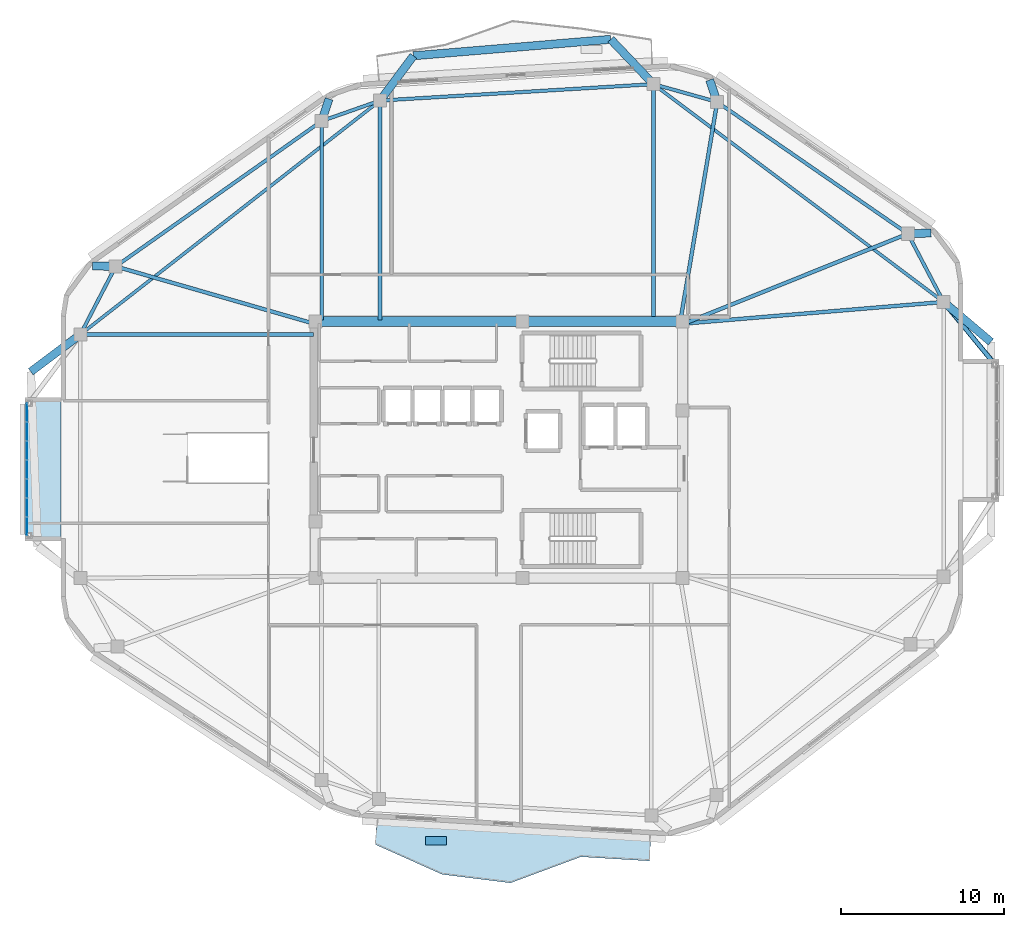
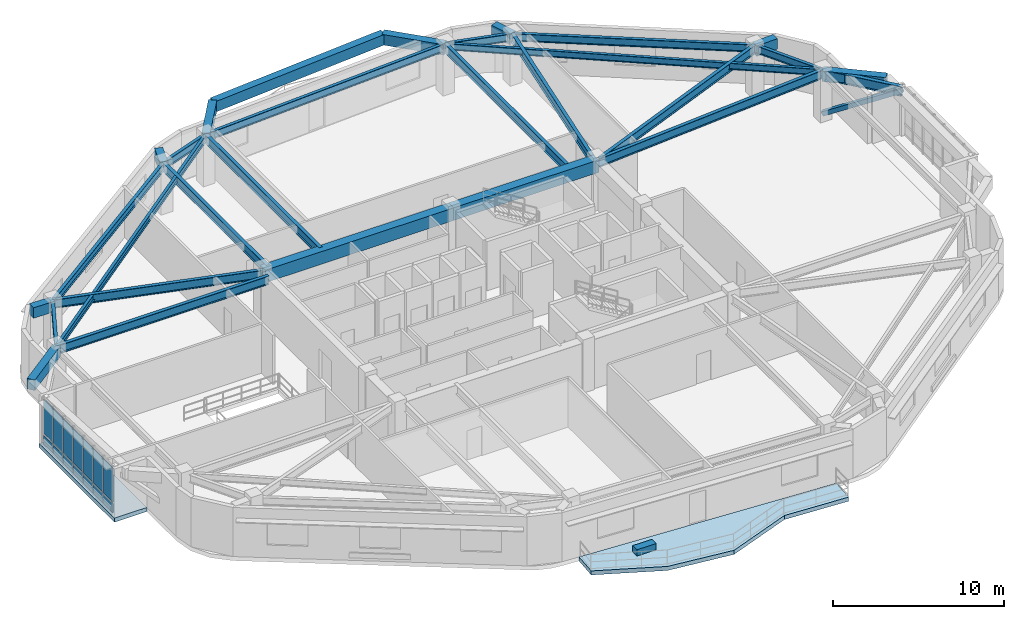
# One storey, part 9 of 16: 29 beams, 15 plates, 2 slabs, 1 member, 1 element without a shape of its own.
"""IFC4 building model written with IfcOpenShell, lengths in metres."""

from ifc_helpers import new_model, si_unit, direction, frame, origin, origin_2d, place, context, subcontext, project, spatial, polyline, rectangle, hollow_rectangle, i_section, outline, extrude, material, layer, layer_set, material_profile, profile_set, type_object, element, aggregate, save


model = new_model("IFC4")

# Units and contexts
model_context = context("Model", 3, precision=1e-05, world=origin(), true_north=direction((0.0, 1.0)))
body_context = subcontext(model_context, "Body", "Model", "MODEL_VIEW")
ifc_project = project(units=[si_unit("LENGTHUNIT", "METRE"), si_unit("AREAUNIT", "SQUARE_METRE"), si_unit("VOLUMEUNIT", "CUBIC_METRE"), si_unit("PLANEANGLEUNIT", "RADIAN"), si_unit("MASSUNIT", "GRAM", prefix="KILO")], contexts=[model_context])

# Site, building, storey
site_placement = place(None, origin())
site = spatial("IfcSite", under=ifc_project, at=site_placement, CompositionType="ELEMENT")
building_placement = place(site_placement, origin())
building = spatial("IfcBuilding", under=site, at=building_placement, Name="Zulverin Broadcast Headquarters", CompositionType="ELEMENT")
storey_placement = place(building_placement, frame((0.0, 0.0, 228.800048828125)))
storey = spatial("IfcBuildingStorey", under=building, at=storey_placement, Name="L58", CompositionType="ELEMENT", Elevation=228.800048828125)

# Beams
ifc_material_1 = material(Name="Concrete C60/75", Category="concrete")
ifc_material_profile_1 = material_profile(ifc_material_1, rectangle(XDim=0.60009765625, YDim=0.89990234375, at=origin_2d()), Name="Concrete C60/75", Category="concrete")
ifc_profile_set_1 = profile_set([ifc_material_profile_1], Name="Concrete C60/75")
beam_type_1 = type_object("IfcBeamType", Name="BM-CB-600x900", PredefinedType="LINTEL", material=ifc_profile_set_1)
beam_1_placement = place(storey_placement, frame((48.27490234375, 33.074951171875, 3.06005859375), z_axis=(-1.0, 0.0, 0.0), x_axis=(0.0, -1.0, 0.0)))
element("IfcBeam", 1, at=beam_1_placement, inside=storey, type_object=beam_type_1, Name="L58 Core Coupling Girder K05-K06", PredefinedType="LINTEL", context=body_context, shape_type="SweptSolid", body=[
    extrude(rectangle(XDim=0.60009765625, YDim=0.89990234375, at=origin_2d()), origin(), (0.0, 0.0, 1.0), 9.824951171875),
])
beam_2_placement = place(storey_placement, frame((38.449951171875, 33.074951171875, 3.06005859375), z_axis=(-1.0, 0.0, 0.0), x_axis=(0.0, -1.0, 0.0)))
element("IfcBeam", 2, at=beam_2_placement, inside=storey, type_object=beam_type_1, Name="L58 Core Coupling Girder K06-K07", PredefinedType="LINTEL", context=body_context, shape_type="SweptSolid", body=[
    extrude(rectangle(XDim=0.60009765625, YDim=0.89990234375, at=origin_2d()), origin(), (0.0, 0.0, 1.0), 12.724853515625),
])
ifc_material_2 = material(Name="Concrete C40/50", Category="concrete")
ifc_material_profile_2 = material_profile(ifc_material_2, rectangle(XDim=0.5, YDim=0.75, at=origin_2d()), Name="Concrete C40/50", Category="concrete")
ifc_profile_set_2 = profile_set([ifc_material_profile_2], Name="Concrete C40/50")
beam_type_2 = type_object("IfcBeamType", Name="BM-RC-500x750", PredefinedType="BEAM", material=ifc_profile_set_2)
for number, where, z_axis, x_axis, name in (
    (3, (62.102783203125, 38.465087890625, 3.135009765625), (0.99949018153, 0.031927684309, 0.0), (-0.031927684309, 0.99949018153, 0.0), "L59 Plate Overhang Back-Spanned Beam OVR-07"),
    (4, (50.39794921875, 46.554443359375, 3.135009765625), (-0.323542873341, 0.946213511376, 0.0), (-0.946213511376, -0.323542873341, 0.0), "L59 Plate Overhang Back-Spanned Beam OVR-08"),
):
    element("IfcBeam", number, at=place(storey_placement, frame(where, z_axis=z_axis, x_axis=x_axis)), inside=storey, type_object=beam_type_2, Name=name, PredefinedType="BEAM", context=body_context, shape_type="SweptSolid", body=[
        extrude(rectangle(XDim=0.5, YDim=0.75, at=origin_2d()), origin(), (0.0, 0.0, 1.0), 1.429931640625),
    ])
beam_3_placement = place(storey_placement, frame((26.11474609375, 45.383544921875, 3.135009765625), z_axis=(0.314280982662, 0.94933000792, 0.0), x_axis=(-0.94933000792, 0.314280982662, 0.0)))
element("IfcBeam", 5, at=beam_3_placement, inside=storey, type_object=beam_type_2, Name="L59 Plate Overhang Back-Spanned Beam OVR-11", PredefinedType="BEAM", context=body_context, shape_type="SweptSolid", body=[
    extrude(rectangle(XDim=0.5, YDim=0.75, at=origin_2d()), origin(), (0.0, 0.0, 1.0), 1.43017578125),
])
beam_4_placement = place(storey_placement, frame((13.46728515625, 36.457763671875, 3.135009765625), z_axis=(-0.999761201155, 0.02185270385, 0.0), x_axis=(-0.02185270385, -0.999761201155, 0.0)))
element("IfcBeam", 6, at=beam_4_placement, inside=storey, type_object=beam_type_2, Name="L59 Plate Overhang Back-Spanned Beam OVR-12", PredefinedType="BEAM", context=body_context, shape_type="SweptSolid", body=[
    extrude(rectangle(XDim=0.5, YDim=0.75, at=origin_2d()), origin(), (0.0, 0.0, 1.0), 1.429931640625),
])
for number, where, z_axis, x_axis, name in (
    (7, (64.300048828125, 34.275634765625, 3.135009765625), (0.763327794612, -0.646011360561, 0.0), (0.646011360561, 0.763327794612, 0.0), "L59 Balcony Column-Framed Cantilever BAL_E-2"),
    (8, (46.4814453125, 47.6484375, 3.135009765625), (-0.689382393643, 0.724397622397, 0.0), (-0.724397622397, -0.689382393643, 0.0), "L59 Balcony Column-Framed Cantilever BAL_N-1"),
):
    element("IfcBeam", number, at=place(storey_placement, frame(where, z_axis=z_axis, x_axis=x_axis)), inside=storey, type_object=beam_type_2, Name=name, PredefinedType="BEAM", context=body_context, shape_type="SweptSolid", body=[
        extrude(rectangle(XDim=0.5, YDim=0.75, at=origin_2d()), origin(), (0.0, 0.0, 1.0), 3.800048828125),
    ])
beam_5_placement = place(storey_placement, frame((29.70068359375, 46.64111328125, 3.135009765625), z_axis=(0.597786638616, 0.801655246781, 0.0), x_axis=(-0.801655246781, 0.597786638616, 0.0)))
element("IfcBeam", 9, at=beam_5_placement, inside=storey, type_object=beam_type_2, Name="L59 Balcony Column-Framed Cantilever BAL_N-2", PredefinedType="BEAM", context=body_context, shape_type="SweptSolid", body=[
    extrude(rectangle(XDim=0.5, YDim=0.75, at=origin_2d()), origin(), (0.0, 0.0, 1.0), 3.42724609375),
])
beam_6_placement = place(storey_placement, frame((43.86181640625, 50.401123046875, 3.135009765625), z_axis=(-0.996524670162, -0.083298149786, 0.0), x_axis=(0.083298149786, -0.996524670162, 0.0)))
element("IfcBeam", 10, at=beam_6_placement, inside=storey, type_object=beam_type_2, Name="L59 Balcony Outer Edge Trimmer Beam BAL_N", PredefinedType="BEAM", context=body_context, shape_type="SweptSolid", body=[
    extrude(rectangle(XDim=0.5, YDim=0.75, at=origin_2d()), origin(), (0.0, 0.0, 1.0), 12.154541015625),
])
beam_7_placement = place(storey_placement, frame((11.300048828125, 32.275390625, 3.135009765625), z_axis=(-0.80024663654, -0.599671010394, 0.0), x_axis=(0.599671010394, -0.80024663654, 0.0)))
element("IfcBeam", 11, at=beam_7_placement, inside=storey, type_object=beam_type_2, Name="L59 Balcony Column-Framed Cantilever BAL_W-1", PredefinedType="BEAM", context=body_context, shape_type="SweptSolid", body=[
    extrude(rectangle(XDim=0.5, YDim=0.75, at=origin_2d()), origin(), (0.0, 0.0, 1.0), 3.800048828125),
])
ifc_material_3 = material(Name="Structural steel S355JR", Category="steel")
ifc_material_profile_3 = material_profile(ifc_material_3, i_section(OverallWidth=0.19287109375, OverallDepth=0.46728515625, WebThickness=0.011474609375, FlangeThickness=0.01953125, at=origin_2d()), Name="Structural steel S355JR", Category="steel")
ifc_profile_set_3 = profile_set([ifc_material_profile_3], Name="Structural steel S355JR")
beam_type_3 = type_object("IfcBeamType", Name="BM-UB-457", PredefinedType="JOIST", material=ifc_profile_set_3)
beam_8_placement = place(storey_placement, frame((64.300048828125, 34.275634765625, 3.2763671875), z_axis=(-0.799809280949, 0.600254207905, 0.0), x_axis=(-0.600254207905, -0.799809280949, 0.0)))
element("IfcBeam", 12, at=beam_8_placement, inside=storey, type_object=beam_type_3, Name="L58 Chordal Floor Joist J-02", PredefinedType="JOIST", context=body_context, shape_type="SweptSolid", body=[
    extrude(i_section(OverallWidth=0.19287109375, OverallDepth=0.46728515625, WebThickness=0.011474609375, FlangeThickness=0.01953125, at=origin_2d()), origin(), (0.0, 0.0, 1.0), 22.278564453125),
])
beam_9_placement = place(storey_placement, frame((29.70068359375, 46.64111328125, 3.2763671875), z_axis=(-0.788227438956, -0.615384030079, 0.0), x_axis=(0.615384030079, -0.788227438956, 0.0)))
element("IfcBeam", 13, at=beam_9_placement, inside=storey, type_object=beam_type_3, Name="L58 Chordal Floor Joist J-03", PredefinedType="JOIST", context=body_context, shape_type="SweptSolid", body=[
    extrude(i_section(OverallWidth=0.19287109375, OverallDepth=0.46728515625, WebThickness=0.011474609375, FlangeThickness=0.01953125, at=origin_2d()), origin(), (0.0, 0.0, 1.0), 23.34423828125),
])
ifc_material_profile_4 = material_profile(ifc_material_3, i_section(OverallWidth=0.2119140625, OverallDepth=0.54443359375, WebThickness=0.0126953125, FlangeThickness=0.021240234375, at=origin_2d()), Name="Structural steel S355JR", Category="steel")
ifc_profile_set_4 = profile_set([ifc_material_profile_4], Name="Structural steel S355JR")
beam_type_4 = type_object("IfcBeamType", Name="BM-UB-533", PredefinedType="SPANDREL", material=ifc_profile_set_4)
beam_10_placement = place(storey_placement, frame((64.300048828125, 34.275634765625, 3.237548828125), z_axis=(-0.464469748171, 0.885588986513, 0.0), x_axis=(-0.885588986513, -0.464469748171, 0.0)))
element("IfcBeam", 14, at=beam_10_placement, inside=storey, type_object=beam_type_4, Name="L58 Perimeter Spandrel Beam SP-06", PredefinedType="SPANDREL", context=body_context, shape_type="SweptSolid", body=[
    extrude(i_section(OverallWidth=0.2119140625, OverallDepth=0.54443359375, WebThickness=0.0126953125, FlangeThickness=0.021240234375, at=origin_2d()), origin(), (0.0, 0.0, 1.0), 4.730712890625),
])
beam_11_placement = place(storey_placement, frame((62.102783203125, 38.465087890625, 3.237548828125), z_axis=(-0.822652126292, 0.568545054597, 0.0), x_axis=(-0.568545054597, -0.822652126292, 0.0)))
element("IfcBeam", 15, at=beam_11_placement, inside=storey, type_object=beam_type_4, Name="L58 Perimeter Spandrel Beam SP-07", PredefinedType="SPANDREL", context=body_context, shape_type="SweptSolid", body=[
    extrude(i_section(OverallWidth=0.2119140625, OverallDepth=0.54443359375, WebThickness=0.0126953125, FlangeThickness=0.021240234375, at=origin_2d()), origin(), (0.0, 0.0, 1.0), 14.228271484375),
])
beam_12_placement = place(storey_placement, frame((50.39794921875, 46.554443359375, 3.237548828125), z_axis=(-0.963131566005, 0.26903082828, 0.0), x_axis=(-0.26903082828, -0.963131566005, 0.0)))
element("IfcBeam", 16, at=beam_12_placement, inside=storey, type_object=beam_type_4, Name="L58 Perimeter Spandrel Beam SP-08", PredefinedType="SPANDREL", context=body_context, shape_type="SweptSolid", body=[
    extrude(i_section(OverallWidth=0.2119140625, OverallDepth=0.54443359375, WebThickness=0.0126953125, FlangeThickness=0.021240234375, at=origin_2d()), origin(), (0.0, 0.0, 1.0), 4.06640625),
])
beam_13_placement = place(storey_placement, frame((46.4814453125, 47.6484375, 3.237548828125), z_axis=(-0.99820314332, -0.059920653088, 0.0), x_axis=(0.059920653088, -0.99820314332, 0.0)))
element("IfcBeam", 17, at=beam_13_placement, inside=storey, type_object=beam_type_4, Name="L58 Perimeter Spandrel Beam SP-09", PredefinedType="SPANDREL", context=body_context, shape_type="SweptSolid", body=[
    extrude(i_section(OverallWidth=0.2119140625, OverallDepth=0.54443359375, WebThickness=0.0126953125, FlangeThickness=0.021240234375, at=origin_2d()), origin(), (0.0, 0.0, 1.0), 16.81103515625),
])
beam_14_placement = place(storey_placement, frame((29.70068359375, 46.64111328125, 3.237548828125), z_axis=(-0.943653845921, -0.330934161243, 0.0), x_axis=(0.330934161243, -0.943653845921, 0.0)))
element("IfcBeam", 18, at=beam_14_placement, inside=storey, type_object=beam_type_4, Name="L58 Perimeter Spandrel Beam SP-10", PredefinedType="SPANDREL", context=body_context, shape_type="SweptSolid", body=[
    extrude(i_section(OverallWidth=0.2119140625, OverallDepth=0.54443359375, WebThickness=0.0126953125, FlangeThickness=0.021240234375, at=origin_2d()), origin(), (0.0, 0.0, 1.0), 3.800048828125),
])
beam_15_placement = place(storey_placement, frame((26.11474609375, 45.383544921875, 3.237548828125), z_axis=(-0.817023806154, -0.576603937012, 0.0), x_axis=(0.576603937012, -0.817023806154, 0.0)))
element("IfcBeam", 19, at=beam_15_placement, inside=storey, type_object=beam_type_4, Name="L58 Perimeter Spandrel Beam SP-11", PredefinedType="SPANDREL", context=body_context, shape_type="SweptSolid", body=[
    extrude(i_section(OverallWidth=0.2119140625, OverallDepth=0.54443359375, WebThickness=0.0126953125, FlangeThickness=0.021240234375, at=origin_2d()), origin(), (0.0, 0.0, 1.0), 15.47998046875),
])
beam_16_placement = place(storey_placement, frame((13.46728515625, 36.457763671875, 3.237548828125), z_axis=(-0.460082658911, -0.887876087621, 0.0), x_axis=(0.887876087621, -0.460082658911, 0.0)))
element("IfcBeam", 20, at=beam_16_placement, inside=storey, type_object=beam_type_4, Name="L58 Perimeter Spandrel Beam SP-12", PredefinedType="SPANDREL", context=body_context, shape_type="SweptSolid", body=[
    extrude(i_section(OverallWidth=0.2119140625, OverallDepth=0.54443359375, WebThickness=0.0126953125, FlangeThickness=0.021240234375, at=origin_2d()), origin(), (0.0, 0.0, 1.0), 4.71044921875),
])
ifc_material_profile_5 = material_profile(ifc_material_3, i_section(OverallWidth=0.230224609375, OverallDepth=0.6171875, WebThickness=0.01318359375, FlangeThickness=0.022216796875, at=origin_2d()), Name="Structural steel S355JR", Category="steel")
ifc_profile_set_5 = profile_set([ifc_material_profile_5], Name="Structural steel S355JR")
beam_type_5 = type_object("IfcBeamType", Name="BM-UB-610", PredefinedType="BEAM", material=ifc_profile_set_5)
beam_17_placement = place(storey_placement, frame((48.375, 32.949951171875, 3.201416015625), z_axis=(0.996553024533, 0.082958238256, 0.0), x_axis=(-0.082958238256, 0.996553024533, 0.0)))
element("IfcBeam", 21, at=beam_17_placement, inside=storey, type_object=beam_type_5, Name="L58 Radial Primary Floor Beam RB-06", PredefinedType="BEAM", context=body_context, shape_type="SweptSolid", body=[
    extrude(i_section(OverallWidth=0.230224609375, OverallDepth=0.6171875, WebThickness=0.01318359375, FlangeThickness=0.022216796875, at=origin_2d()), origin(), (0.0, 0.0, 1.0), 15.980224609375),
])
beam_18_placement = place(storey_placement, frame((48.375, 32.949951171875, 3.201416015625), z_axis=(0.927915690744, 0.37279011638, 0.0), x_axis=(-0.37279011638, 0.927915690744, 0.0)))
element("IfcBeam", 22, at=beam_18_placement, inside=storey, type_object=beam_type_5, Name="L58 Radial Primary Floor Beam RB-07", PredefinedType="BEAM", context=body_context, shape_type="SweptSolid", body=[
    extrude(i_section(OverallWidth=0.230224609375, OverallDepth=0.6171875, WebThickness=0.01318359375, FlangeThickness=0.022216796875, at=origin_2d()), origin(), (0.0, 0.0, 1.0), 14.794189453125),
])
beam_19_placement = place(storey_placement, frame((48.14990234375, 33.175048828125, 3.201416015625), z_axis=(0.165700339104, 0.986176149388, 0.0), x_axis=(-0.986176149388, 0.165700339104, 0.0)))
element("IfcBeam", 23, at=beam_19_placement, inside=storey, type_object=beam_type_5, Name="L58 Radial Primary Floor Beam RB-08", PredefinedType="BEAM", context=body_context, shape_type="SweptSolid", body=[
    extrude(i_section(OverallWidth=0.230224609375, OverallDepth=0.6171875, WebThickness=0.01318359375, FlangeThickness=0.022216796875, at=origin_2d()), origin(), (0.0, 0.0, 1.0), 13.56689453125),
])
beam_20_placement = place(storey_placement, frame((46.4814453125, 33.175048828125, 3.201416015625), z_axis=(0.0, 1.0, 0.0), x_axis=(-1.0, 0.0, 0.0)))
element("IfcBeam", 24, at=beam_20_placement, inside=storey, type_object=beam_type_5, Name="L58 Radial Primary Floor Beam RB-09", PredefinedType="BEAM", context=body_context, shape_type="SweptSolid", body=[
    extrude(i_section(OverallWidth=0.230224609375, OverallDepth=0.6171875, WebThickness=0.01318359375, FlangeThickness=0.022216796875, at=origin_2d()), origin(), (0.0, 0.0, 1.0), 14.473388671875),
])
beam_21_placement = place(storey_placement, frame((29.70068359375, 33.175048828125, 3.201416015625), z_axis=(0.0, 1.0, 0.0), x_axis=(-1.0, 0.0, 0.0)))
element("IfcBeam", 25, at=beam_21_placement, inside=storey, type_object=beam_type_5, Name="L58 Radial Primary Floor Beam RB-10", PredefinedType="BEAM", context=body_context, shape_type="SweptSolid", body=[
    extrude(i_section(OverallWidth=0.230224609375, OverallDepth=0.6171875, WebThickness=0.01318359375, FlangeThickness=0.022216796875, at=origin_2d()), origin(), (0.0, 0.0, 1.0), 13.466064453125),
])
beam_22_placement = place(storey_placement, frame((26.11474609375, 33.175048828125, 3.201416015625), z_axis=(0.0, 1.0, 0.0), x_axis=(-1.0, 0.0, 0.0)))
element("IfcBeam", 26, at=beam_22_placement, inside=storey, type_object=beam_type_5, Name="L58 Radial Primary Floor Beam RB-11", PredefinedType="BEAM", context=body_context, shape_type="SweptSolid", body=[
    extrude(i_section(OverallWidth=0.230224609375, OverallDepth=0.6171875, WebThickness=0.01318359375, FlangeThickness=0.022216796875, at=origin_2d()), origin(), (0.0, 0.0, 1.0), 12.20849609375),
])
beam_23_placement = place(storey_placement, frame((25.625, 32.949951171875, 3.201416015625), z_axis=(-0.960807187215, 0.277217512067, 0.0), x_axis=(-0.277217512067, -0.960807187215, 0.0)))
element("IfcBeam", 27, at=beam_23_placement, inside=storey, type_object=beam_type_5, Name="L58 Radial Primary Floor Beam RB-12", PredefinedType="BEAM", context=body_context, shape_type="SweptSolid", body=[
    extrude(i_section(OverallWidth=0.230224609375, OverallDepth=0.6171875, WebThickness=0.01318359375, FlangeThickness=0.022216796875, at=origin_2d()), origin(), (0.0, 0.0, 1.0), 12.653564453125),
])
beam_24_placement = place(storey_placement, frame((25.625, 32.275390625, 3.201416015625), z_axis=(-1.0, 0.0, 0.0), x_axis=(0.0, -1.0, 0.0)))
element("IfcBeam", 28, at=beam_24_placement, inside=storey, type_object=beam_type_5, Name="L58 Radial Primary Floor Beam RB-13", PredefinedType="BEAM", context=body_context, shape_type="SweptSolid", body=[
    extrude(i_section(OverallWidth=0.230224609375, OverallDepth=0.6171875, WebThickness=0.01318359375, FlangeThickness=0.022216796875, at=origin_2d()), origin(), (0.0, 0.0, 1.0), 14.324951171875),
])
ifc_material_profile_6 = material_profile(ifc_material_3, i_section(OverallWidth=0.255859375, OverallDepth=0.69287109375, WebThickness=0.014404296875, FlangeThickness=0.023681640625, at=origin_2d()), Name="Structural steel S355JR", Category="steel")
ifc_profile_set_6 = profile_set([ifc_material_profile_6], Name="Structural steel S355JR")
beam_type_6 = type_object("IfcBeamType", Name="BM-UB-686", PredefinedType="BEAM", material=ifc_profile_set_6)
beam_25_placement = place(storey_placement, frame((64.300048828125, 34.275634765625, 3.163330078125), z_axis=(0.634637667991, -0.772809828074, 0.0), x_axis=(0.772809828074, 0.634637667991, 0.0)))
element("IfcBeam", 29, at=beam_25_placement, inside=storey, type_object=beam_type_6, Name="L58 Studio Box Cantilever Girder SBOX_SKY2_E-2", PredefinedType="BEAM", context=body_context, shape_type="SweptSolid", body=[
    extrude(i_section(OverallWidth=0.255859375, OverallDepth=0.69287109375, WebThickness=0.014404296875, FlangeThickness=0.023681640625, at=origin_2d()), origin(), (0.0, 0.0, 1.0), 4.96337890625),
])

# Member
ifc_material_profile_7 = material_profile(ifc_material_3, hollow_rectangle(XDim=0.300048828125, YDim=0.300048828125, WallThickness=0.01611328125, at=origin_2d()), Name="Structural steel S355JR", Category="steel")
ifc_profile_set_7 = profile_set([ifc_material_profile_7], Name="Structural steel S355JR")
member_type = type_object("IfcMemberType", Name="MBR-BLT-DIAG1", PredefinedType="BRACE", material=ifc_profile_set_7)
member_placement = place(storey_placement, frame((64.300048828125, 34.275634765625, 0.349853515625), z_axis=(0.549874080931, -0.669591666835, 0.499284983577), x_axis=(0.772809828074, 0.634637667991, 0.0)))
element("IfcMember", 30, at=member_placement, inside=storey, type_object=member_type, Name="L58 Studio Box Raking Knee Brace SBOX_SKY2_E-2", PredefinedType="BRACE", context=body_context, shape_type="SweptSolid", body=[
    extrude(hollow_rectangle(XDim=0.300048828125, YDim=0.300048828125, WallThickness=0.01611328125, at=origin_2d()), origin(), (0.0, 0.0, 1.0), 5.728515625),
])

# Curtain wall, plates
ifc_material_4 = material(Name="Acoustic triple-glazed studio box curtain wall", Category="aluminium")
curtain_wall_type = type_object("IfcCurtainWallType", Name="CW-SBOX", PredefinedType="USERDEFINED", material=ifc_material_4)
curtain_wall_placement = place(storey_placement, origin())
curtain_wall = element("IfcCurtainWall", 31, at=curtain_wall_placement, inside=storey, type_object=curtain_wall_type, Name="L58 Unitised Curtain Wall CW-L58-SBOX_SKY2_W-F", ObjectType="UNITISED CURTAIN WALL", PredefinedType="USERDEFINED")
ifc_material_5 = material(Name="Low-E double-glazed pale-silver vision glass", Category="glass")
ifc_layer_1 = layer(ifc_material_5, 0.035888671875, Name="Low-E double-glazed pale-silver vision glass", Category="glass")
ifc_layer_set_1 = layer_set([ifc_layer_1], Name="Low-E double-glazed pale-silver vision glass")
plate_type_1 = type_object("IfcPlateType", Name="CW-PNL-GLZ", PredefinedType="CURTAIN_PANEL", material=ifc_layer_set_1)
plate_1_placement = place(storey_placement, frame((8.02001953125, 27.507080078125, 0.9072265625), z_axis=(0.0, 0.0, 1.0), x_axis=(0.0, -1.0, 0.0)))
plate_1 = element("IfcPlate", 32, at=plate_1_placement, type_object=plate_type_1, Name="CW-L58-SBOX_SKY2_W-F Vision Panel 00", PredefinedType="CURTAIN_PANEL", context=body_context, shape_type="SweptSolid", body=[
    extrude(rectangle(XDim=1.125732421875, YDim=0.035888671875, at=origin_2d()), origin(), (0.0, 0.0, 1.0), 2.462646484375),
])
plate_2_placement = place(storey_placement, frame((8.02001953125, 26.34130859375, 0.9072265625), z_axis=(0.0, 0.0, 1.0), x_axis=(0.0, -1.0, 0.0)))
plate_2 = element("IfcPlate", 33, at=plate_2_placement, type_object=plate_type_1, Name="CW-L58-SBOX_SKY2_W-F Vision Panel 01", PredefinedType="CURTAIN_PANEL", context=body_context, shape_type="SweptSolid", body=[
    extrude(rectangle(XDim=1.125732421875, YDim=0.035888671875, at=origin_2d()), origin(), (0.0, 0.0, 1.0), 2.462646484375),
])
plate_3_placement = place(storey_placement, frame((8.02001953125, 25.17578125, 0.9072265625), z_axis=(0.0, 0.0, 1.0), x_axis=(0.0, -1.0, 0.0)))
plate_3 = element("IfcPlate", 34, at=plate_3_placement, type_object=plate_type_1, Name="CW-L58-SBOX_SKY2_W-F Vision Panel 02", PredefinedType="CURTAIN_PANEL", context=body_context, shape_type="SweptSolid", body=[
    extrude(rectangle(XDim=1.125732421875, YDim=0.035888671875, at=origin_2d()), origin(), (0.0, 0.0, 1.0), 2.462646484375),
])
plate_4_placement = place(storey_placement, frame((8.02001953125, 24.010009765625, 0.9072265625), z_axis=(0.0, 0.0, 1.0), x_axis=(0.0, -1.0, 0.0)))
plate_4 = element("IfcPlate", 35, at=plate_4_placement, type_object=plate_type_1, Name="CW-L58-SBOX_SKY2_W-F Vision Panel 03", PredefinedType="CURTAIN_PANEL", context=body_context, shape_type="SweptSolid", body=[
    extrude(rectangle(XDim=1.125732421875, YDim=0.035888671875, at=origin_2d()), origin(), (0.0, 0.0, 1.0), 2.462646484375),
])
plate_5_placement = place(storey_placement, frame((8.02001953125, 22.84423828125, 0.9072265625), z_axis=(0.0, 0.0, 1.0), x_axis=(0.0, -1.0, 0.0)))
plate_5 = element("IfcPlate", 36, at=plate_5_placement, type_object=plate_type_1, Name="CW-L58-SBOX_SKY2_W-F Vision Panel 04", PredefinedType="CURTAIN_PANEL", context=body_context, shape_type="SweptSolid", body=[
    extrude(rectangle(XDim=1.125732421875, YDim=0.035888671875, at=origin_2d()), origin(), (0.0, 0.0, 1.0), 2.462646484375),
])
plate_6_placement = place(storey_placement, frame((8.02001953125, 21.6787109375, 0.9072265625), z_axis=(0.0, 0.0, 1.0), x_axis=(0.0, -1.0, 0.0)))
plate_6 = element("IfcPlate", 37, at=plate_6_placement, type_object=plate_type_1, Name="CW-L58-SBOX_SKY2_W-F Vision Panel 05", PredefinedType="CURTAIN_PANEL", context=body_context, shape_type="SweptSolid", body=[
    extrude(rectangle(XDim=1.125732421875, YDim=0.035888671875, at=origin_2d()), origin(), (0.0, 0.0, 1.0), 2.462646484375),
])
plate_7_placement = place(storey_placement, frame((8.02001953125, 20.512939453125, 0.9072265625), z_axis=(0.0, 0.0, 1.0), x_axis=(0.0, -1.0, 0.0)))
plate_7 = element("IfcPlate", 38, at=plate_7_placement, type_object=plate_type_1, Name="CW-L58-SBOX_SKY2_W-F Vision Panel 06", PredefinedType="CURTAIN_PANEL", context=body_context, shape_type="SweptSolid", body=[
    extrude(rectangle(XDim=1.125732421875, YDim=0.035888671875, at=origin_2d()), origin(), (0.0, 0.0, 1.0), 2.462646484375),
])
ifc_material_6 = material(Name="Insulated brushed pale-aluminium spandrel cassette", Category="aluminium")
ifc_layer_2 = layer(ifc_material_6, 0.050048828125, Name="Insulated brushed pale-aluminium spandrel cassette", Category="aluminium")
ifc_layer_set_2 = layer_set([ifc_layer_2], Name="Insulated brushed pale-aluminium spandrel cassette")
plate_type_2 = type_object("IfcPlateType", Name="CW-PNL-SPN", PredefinedType="CURTAIN_PANEL", material=ifc_layer_set_2)
plate_8_placement = place(storey_placement, frame((8.02001953125, 27.507080078125, 0.14013671875), z_axis=(0.0, 0.0, 1.0), x_axis=(0.0, -1.0, 0.0)))
plate_8 = element("IfcPlate", 39, at=plate_8_placement, type_object=plate_type_2, Name="CW-L58-SBOX_SKY2_W-F Spandrel Cassette 00", PredefinedType="CURTAIN_PANEL", context=body_context, shape_type="SweptSolid", body=[
    extrude(rectangle(XDim=1.125732421875, YDim=0.050048828125, at=origin_2d()), origin(), (0.0, 0.0, 1.0), 0.637451171875),
])
plate_9_placement = place(storey_placement, frame((8.02001953125, 26.34130859375, 0.14013671875), z_axis=(0.0, 0.0, 1.0), x_axis=(0.0, -1.0, 0.0)))
plate_9 = element("IfcPlate", 40, at=plate_9_placement, type_object=plate_type_2, Name="CW-L58-SBOX_SKY2_W-F Spandrel Cassette 01", PredefinedType="CURTAIN_PANEL", context=body_context, shape_type="SweptSolid", body=[
    extrude(rectangle(XDim=1.125732421875, YDim=0.050048828125, at=origin_2d()), origin(), (0.0, 0.0, 1.0), 0.637451171875),
])
plate_10_placement = place(storey_placement, frame((8.02001953125, 25.17578125, 0.14013671875), z_axis=(0.0, 0.0, 1.0), x_axis=(0.0, -1.0, 0.0)))
plate_10 = element("IfcPlate", 41, at=plate_10_placement, type_object=plate_type_2, Name="CW-L58-SBOX_SKY2_W-F Spandrel Cassette 02", PredefinedType="CURTAIN_PANEL", context=body_context, shape_type="SweptSolid", body=[
    extrude(rectangle(XDim=1.125732421875, YDim=0.050048828125, at=origin_2d()), origin(), (0.0, 0.0, 1.0), 0.637451171875),
])
plate_11_placement = place(storey_placement, frame((8.02001953125, 24.010009765625, 0.14013671875), z_axis=(0.0, 0.0, 1.0), x_axis=(0.0, -1.0, 0.0)))
plate_11 = element("IfcPlate", 42, at=plate_11_placement, type_object=plate_type_2, Name="CW-L58-SBOX_SKY2_W-F Spandrel Cassette 03", PredefinedType="CURTAIN_PANEL", context=body_context, shape_type="SweptSolid", body=[
    extrude(rectangle(XDim=1.125732421875, YDim=0.050048828125, at=origin_2d()), origin(), (0.0, 0.0, 1.0), 0.637451171875),
])
plate_12_placement = place(storey_placement, frame((8.02001953125, 22.84423828125, 0.14013671875), z_axis=(0.0, 0.0, 1.0), x_axis=(0.0, -1.0, 0.0)))
plate_12 = element("IfcPlate", 43, at=plate_12_placement, type_object=plate_type_2, Name="CW-L58-SBOX_SKY2_W-F Spandrel Cassette 04", PredefinedType="CURTAIN_PANEL", context=body_context, shape_type="SweptSolid", body=[
    extrude(rectangle(XDim=1.125732421875, YDim=0.050048828125, at=origin_2d()), origin(), (0.0, 0.0, 1.0), 0.637451171875),
])
plate_13_placement = place(storey_placement, frame((8.02001953125, 21.6787109375, 0.14013671875), z_axis=(0.0, 0.0, 1.0), x_axis=(0.0, -1.0, 0.0)))
plate_13 = element("IfcPlate", 44, at=plate_13_placement, type_object=plate_type_2, Name="CW-L58-SBOX_SKY2_W-F Spandrel Cassette 05", PredefinedType="CURTAIN_PANEL", context=body_context, shape_type="SweptSolid", body=[
    extrude(rectangle(XDim=1.125732421875, YDim=0.050048828125, at=origin_2d()), origin(), (0.0, 0.0, 1.0), 0.637451171875),
])
plate_14_placement = place(storey_placement, frame((8.02001953125, 20.512939453125, 0.14013671875), z_axis=(0.0, 0.0, 1.0), x_axis=(0.0, -1.0, 0.0)))
plate_14 = element("IfcPlate", 45, at=plate_14_placement, type_object=plate_type_2, Name="CW-L58-SBOX_SKY2_W-F Spandrel Cassette 06", PredefinedType="CURTAIN_PANEL", context=body_context, shape_type="SweptSolid", body=[
    extrude(rectangle(XDim=1.125732421875, YDim=0.050048828125, at=origin_2d()), origin(), (0.0, 0.0, 1.0), 0.637451171875),
])
aggregate(curtain_wall, [plate_8, plate_1, plate_9, plate_2, plate_10, plate_3, plate_11, plate_4, plate_12, plate_5, plate_13, plate_6, plate_14, plate_7])

# Plate
ifc_material_7 = material(Name="Precast concrete C45/55", Category="concrete")
ifc_layer_3 = layer(ifc_material_7, 0.449951171875, Name="Precast concrete C45/55", Category="concrete")
ifc_layer_set_3 = layer_set([ifc_layer_3], Name="Precast concrete C45/55")
plate_type_3 = type_object("IfcPlateType", Name="PT-01_PRECAST_GFRC_TREE_PLANTER", PredefinedType="USERDEFINED", material=ifc_layer_set_3)
plate_15_placement = place(storey_placement, frame((33.1337890625, 1.19873046875, -0.0048828125), z_axis=(0.0, 0.0, 1.0), x_axis=(1.0, 0.0, 0.0)))
element("IfcPlate", 46, at=plate_15_placement, inside=storey, type_object=plate_type_3, Name="L58 Precast GFRC Tree Planter BAL_S", ObjectType="PLANTER", PredefinedType="USERDEFINED", context=body_context, shape_type="SweptSolid", body=[
    extrude(rectangle(XDim=1.300048828125, YDim=0.5, at=origin_2d()), origin(), (0.0, 0.0, 1.0), 0.449951171875),
])

# Slabs
ifc_layer_4 = layer(ifc_material_2, 0.2900390625, Name="Concrete C40/50", Category="concrete")
ifc_layer_set_4 = layer_set([ifc_layer_4], Name="Concrete C40/50")
slab_type_1 = type_object("IfcSlabType", Name="SLB-BAL-290", PredefinedType="FLOOR", material=ifc_layer_set_4)
slab_1_placement = place(storey_placement, frame((0.0, 0.0, -0.2900390625)))
element("IfcSlab", 47, at=slab_1_placement, inside=storey, type_object=slab_type_1, Name="L58 Cantilevered Planted Balcony Slab BAL_S", PredefinedType="FLOOR", context=body_context, shape_type="SweptSolid", body=[
    extrude(outline(polyline([(46.32958984375, 1.55859375), (29.500244140625, 2.56884765625), (29.404296875, 0.9716796875), (33.516357421875, -0.8681640625), (37.707763671875, -1.388671875), (42.0263671875, 0.214111328125), (46.233642578125, -0.03857421875), (46.32958984375, 1.55859375)])), origin(), (0.0, 0.0, 1.0), 0.2900390625),
])
ifc_layer_5 = layer(ifc_material_2, 0.2900390625, Name="Concrete C40/50", Category="concrete")
ifc_layer_set_5 = layer_set([ifc_layer_5], Name="Concrete C40/50")
slab_type_2 = type_object("IfcSlabType", Name="SLB-TWR-290", PredefinedType="FLOOR", material=ifc_layer_set_5)
slab_2_placement = place(storey_placement, frame((0.0, 0.0, -0.2900390625)))
element("IfcSlab", 48, at=slab_2_placement, inside=storey, type_object=slab_type_2, Name="L58 Shifted Broadcast Studio Box Floor Slab SBOX_SKY2_W", PredefinedType="FLOOR", context=body_context, shape_type="SweptSolid", body=[
    extrude(outline(polyline([(7.89990234375, 19.610107421875), (10.10009765625, 19.610107421875), (10.10009765625, 28.409912109375), (7.89990234375, 28.409912109375), (7.89990234375, 19.610107421875)])), origin(), (0.0, 0.0, 1.0), 0.2900390625),
])

save(model, "model.ifc")
